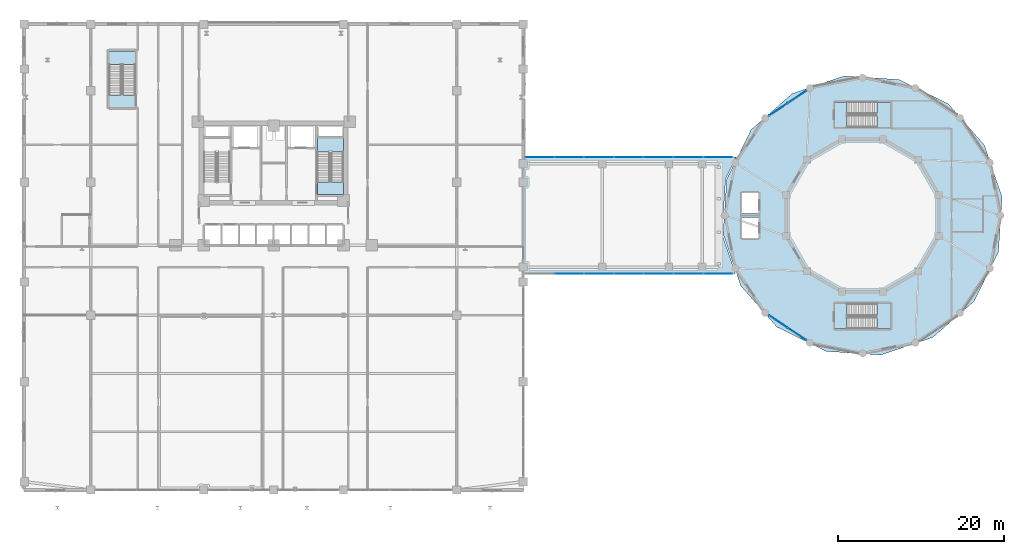
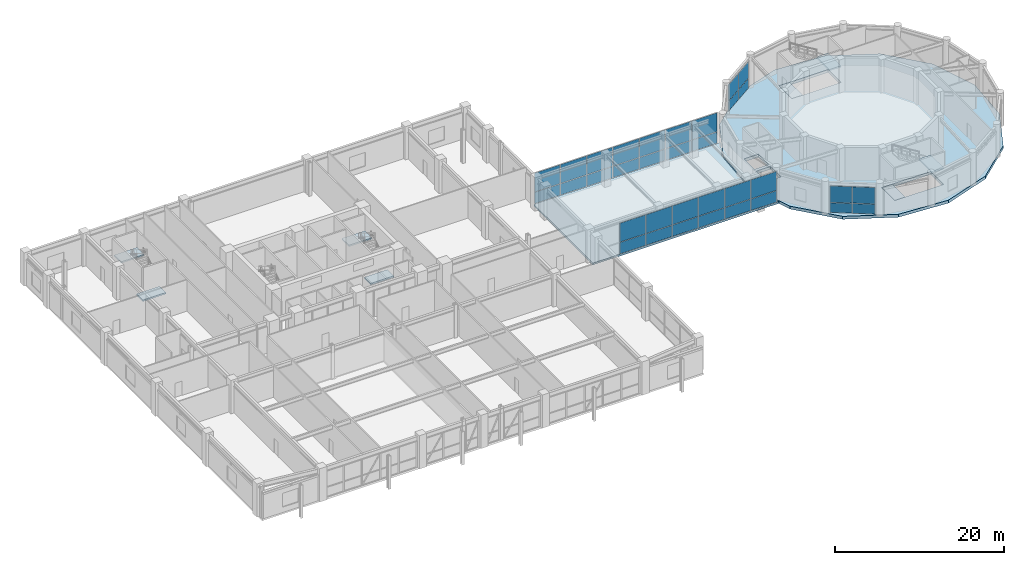
# One storey, part 31 of 48: 34 plates, 10 slabs, 8 elements without a shape of their own.
"""IFC4 building model written with IfcOpenShell, lengths in metres."""

from ifc_helpers import new_model, si_unit, derived_unit, direction, frame, origin, origin_2d, place, context, subcontext, project, spatial, polyline, rectangle, outline, extrude, source, transform, mapped, material, layer, layer_set, type_object, element, aggregate, save


model = new_model("IFC4")

# Units and contexts
model_context = context("Model", 3, precision=1e-05, world=origin(), true_north=direction((0.0, 1.0)))
body_context = subcontext(model_context, "Body", "Model", "MODEL_VIEW")
ifc_project = project(units=[si_unit("LENGTHUNIT", "METRE"), si_unit("AREAUNIT", "SQUARE_METRE"), si_unit("VOLUMEUNIT", "CUBIC_METRE"), si_unit("PLANEANGLEUNIT", "RADIAN"), si_unit("MASSUNIT", "GRAM", prefix="KILO"), derived_unit("THERMALTRANSMITTANCEUNIT", [(si_unit("POWERUNIT", "WATT"), 1), (si_unit("LENGTHUNIT", "METRE"), -2), (si_unit("THERMODYNAMICTEMPERATUREUNIT", "KELVIN"), -1)])], contexts=[model_context])

# Site, building, storey
site_placement = place(None, origin())
site = spatial("IfcSite", under=ifc_project, at=site_placement, CompositionType="ELEMENT")
building_placement = place(site_placement, origin())
building = spatial("IfcBuilding", under=site, at=building_placement, Name="Korsvarv Bourse and Concert Hall", CompositionType="ELEMENT")
storey_placement = place(building_placement, frame((0.0, 0.0, 4.800048828125)))
storey = spatial("IfcBuildingStorey", under=building, at=storey_placement, Name="L01", CompositionType="ELEMENT", Elevation=4.800048828125)

# Slabs
ifc_material_1 = material(Name="Concrete C50/60", Category="concrete")
ifc_layer_1 = layer(ifc_material_1, 0.419921875)
ifc_layer_set_1 = layer_set([ifc_layer_1], Name="Concrete C50/60")
slab_type_1 = type_object("IfcSlabType", Name="SLB-CH1", PredefinedType="FLOOR", material=ifc_layer_set_1)
slab_1_placement = place(storey_placement, frame((0.0, 0.0, -0.420166015625)))
element("IfcSlab", 1, at=slab_1_placement, inside=storey, type_object=slab_type_1, Name="L01 Concert Hall floor slab", PredefinedType="FLOOR", context=body_context, shape_type="SweptSolid", body=[
    extrude(outline(polyline([(123.572509765625, 38.2080078125), (121.45068359375, 44.45849609375), (117.098388671875, 49.42138671875), (111.178466796875, 52.3408203125), (104.591796875, 52.7724609375), (98.34130859375, 50.650634765625), (93.378662109375, 46.298583984375), (90.459228515625, 40.37841796875), (90.027587890625, 33.7919921875), (92.1494140625, 27.54150390625), (96.50146484375, 22.57861328125), (102.42138671875, 19.6591796875), (109.008056640625, 19.2275390625), (115.258544921875, 21.349365234375), (120.22119140625, 25.701416015625), (123.140625, 31.62158203125), (123.572509765625, 38.2080078125)]), holes=[polyline([(103.449951171875, 46.60009765625), (110.14990234375, 46.60009765625), (110.14990234375, 49.659912109375), (103.449951171875, 49.659912109375), (103.449951171875, 46.60009765625)]), polyline([(103.449951171875, 22.340087890625), (110.14990234375, 22.340087890625), (110.14990234375, 25.39990234375), (103.449951171875, 25.39990234375), (103.449951171875, 22.340087890625)]), polyline([(92.320068359375, 36.219970703125), (94.280029296875, 36.219970703125), (94.280029296875, 38.679931640625), (92.320068359375, 38.679931640625), (92.320068359375, 36.219970703125)]), polyline([(92.320068359375, 33.320068359375), (94.280029296875, 33.320068359375), (94.280029296875, 35.780029296875), (92.320068359375, 35.780029296875), (92.320068359375, 33.320068359375)])]), origin(), (0.0, 0.0, 1.0), 0.420166015625),
])
ifc_material_2 = material(Name="Precast concrete C45/55", Category="concrete")
ifc_layer_2 = layer(ifc_material_2, 0.199951171875)
ifc_layer_set_2 = layer_set([ifc_layer_2], Name="Precast concrete C45/55")
slab_type_2 = type_object("IfcSlabType", Name="SLB-FLND-T", PredefinedType="LANDING", material=ifc_layer_set_2)
slab_2_placement = place(storey_placement, frame((0.0, 0.0, -0.199951171875)))
element("IfcSlab", 2, at=slab_2_placement, inside=storey, type_object=slab_type_2, Name="L01 Stair ST-T2 Floor Landing Slab", PredefinedType="LANDING", context=body_context, shape_type="SweptSolid", body=[
    extrude(outline(polyline([(44.39990234375, 38.5), (44.39990234375, 40.0), (41.239990234375, 40.0), (41.239990234375, 38.5), (44.39990234375, 38.5)])), origin(), (0.0, 0.0, 1.0), 0.199951171875),
])
slab_3_placement = place(storey_placement, frame((0.0, 0.0, -0.199951171875)))
element("IfcSlab", 3, at=slab_3_placement, inside=storey, type_object=slab_type_2, Name="L01 Stair ST-PD1 Floor Landing Slab", PredefinedType="LANDING", context=body_context, shape_type="SweptSolid", body=[
    extrude(outline(polyline([(19.360107421875, 49.0), (19.360107421875, 50.5), (16.199951171875, 50.5), (16.199951171875, 49.0), (19.360107421875, 49.0)])), origin(), (0.0, 0.0, 1.0), 0.199951171875),
])
slab_4_placement = place(storey_placement, frame((0.0, 0.0, -0.199951171875)))
element("IfcSlab", 4, at=slab_4_placement, inside=storey, type_object=slab_type_2, Name="L01 Stair ST-CH1 Floor Landing Slab", PredefinedType="LANDING", context=body_context, shape_type="SweptSolid", body=[
    extrude(outline(polyline([(103.449951171875, 46.60009765625), (104.89990234375, 46.60009765625), (104.89990234375, 49.659912109375), (103.449951171875, 49.659912109375), (103.449951171875, 46.60009765625)])), origin(), (0.0, 0.0, 1.0), 0.199951171875),
])
slab_5_placement = place(storey_placement, frame((0.0, 0.0, -0.199951171875)))
element("IfcSlab", 5, at=slab_5_placement, inside=storey, type_object=slab_type_2, Name="L01 Stair ST-CH2 Floor Landing Slab", PredefinedType="LANDING", context=body_context, shape_type="SweptSolid", body=[
    extrude(outline(polyline([(103.449951171875, 22.340087890625), (104.89990234375, 22.340087890625), (104.89990234375, 25.39990234375), (103.449951171875, 25.39990234375), (103.449951171875, 22.340087890625)])), origin(), (0.0, 0.0, 1.0), 0.199951171875),
])
ifc_material_3 = material(Name="Concrete C45/55", Category="concrete")
ifc_layer_3 = layer(ifc_material_3, 0.260009765625)
ifc_layer_set_3 = layer_set([ifc_layer_3], Name="Concrete C45/55")
slab_type_3 = type_object("IfcSlabType", Name="SLB-LNK", PredefinedType="FLOOR", material=ifc_layer_set_3)
slab_6_placement = place(storey_placement, frame((0.0, 0.0, -0.260009765625)))
element("IfcSlab", 6, at=slab_6_placement, inside=storey, type_object=slab_type_3, Name="L01 podium link gallery slab", PredefinedType="FLOOR", context=body_context, shape_type="SweptSolid", body=[
    extrude(outline(polyline([(66.110107421875, 29.0), (66.110107421875, 43.0), (91.618408203125, 43.0), (90.351806640625, 40.431640625), (90.346923828125, 40.4208984375), (90.343505859375, 40.40966796875), (90.3408203125, 40.39794921875), (90.339599609375, 40.38623046875), (89.907958984375, 33.7998046875), (89.90771484375, 33.7880859375), (89.90869140625, 33.776123046875), (89.91064453125, 33.7646484375), (89.9140625, 33.75341796875), (91.527587890625, 29.0), (66.110107421875, 29.0)])), origin(), (0.0, 0.0, 1.0), 0.260009765625),
])

# Stair, slab
stair_type_1 = type_object("IfcStairType", Name="STR-TYPE-02", PredefinedType="HALF_TURN_STAIR", material=ifc_material_2)
stair_1_placement = place(storey_placement, origin())
stair_1 = element("IfcStair", 7, at=stair_1_placement, inside=storey, type_object=stair_type_1, Name="L01 Tower East Exit Stair ST-T2", PredefinedType="HALF_TURN_STAIR")
ifc_layer_4 = layer(ifc_material_2, 0.199951171875)
ifc_layer_set_4 = layer_set([ifc_layer_4], Name="Precast concrete C45/55")
slab_type_4 = type_object("IfcSlabType", Name="SLB-ST-LND", PredefinedType="LANDING", material=ifc_layer_set_4)
slab_7_placement = place(storey_placement, frame((0.0, 0.0, 2.199951171875)))
slab_7 = element("IfcSlab", 8, at=slab_7_placement, type_object=slab_type_4, Name="ST-T2 landing 1", PredefinedType="LANDING", context=body_context, shape_type="SweptSolid", body=[
    extrude(outline(polyline([(44.39990234375, 43.639892578125), (44.39990234375, 45.300048828125), (41.239990234375, 45.300048828125), (41.239990234375, 43.639892578125), (44.39990234375, 43.639892578125)])), origin(), (0.0, 0.0, 1.0), 0.199951171875),
])
aggregate(stair_1, [slab_7])

stair_2_placement = place(storey_placement, origin())
stair_2 = element("IfcStair", 9, at=stair_2_placement, inside=storey, type_object=stair_type_1, Name="L01 Exchange Podium Grand Stair ST-PD1", PredefinedType="HALF_TURN_STAIR")
slab_8_placement = place(storey_placement, frame((0.0, 0.0, 2.199951171875)))
slab_8 = element("IfcSlab", 10, at=slab_8_placement, type_object=slab_type_4, Name="ST-PD1 landing 1", PredefinedType="LANDING", context=body_context, shape_type="SweptSolid", body=[
    extrude(outline(polyline([(19.360107421875, 54.139892578125), (19.360107421875, 55.800048828125), (16.199951171875, 55.800048828125), (16.199951171875, 54.139892578125), (19.360107421875, 54.139892578125)])), origin(), (0.0, 0.0, 1.0), 0.199951171875),
])
aggregate(stair_2, [slab_8])

stair_type_2 = type_object("IfcStairType", Name="STR-TYPE-07", PredefinedType="HALF_TURN_STAIR", material=ifc_material_2)
stair_3_placement = place(storey_placement, origin())
stair_3 = element("IfcStair", 11, at=stair_3_placement, inside=storey, type_object=stair_type_2, Name="L01 Concert Hall North Exit Stair ST-CH1", PredefinedType="HALF_TURN_STAIR")
slab_9_placement = place(storey_placement, frame((0.0, 0.0, 2.199951171875)))
slab_9 = element("IfcSlab", 12, at=slab_9_placement, type_object=slab_type_4, Name="ST-CH1 landing 1", PredefinedType="LANDING", context=body_context, shape_type="SweptSolid", body=[
    extrude(outline(polyline([(108.5400390625, 46.60009765625), (110.14990234375, 46.60009765625), (110.14990234375, 49.659912109375), (108.5400390625, 49.659912109375), (108.5400390625, 46.60009765625)])), origin(), (0.0, 0.0, 1.0), 0.199951171875),
])
aggregate(stair_3, [slab_9])

stair_4_placement = place(storey_placement, origin())
stair_4 = element("IfcStair", 13, at=stair_4_placement, inside=storey, type_object=stair_type_2, Name="L01 Concert Hall South Exit Stair ST-CH2", PredefinedType="HALF_TURN_STAIR")
slab_10_placement = place(storey_placement, frame((0.0, 0.0, 2.199951171875)))
slab_10 = element("IfcSlab", 14, at=slab_10_placement, type_object=slab_type_4, Name="ST-CH2 landing 1", PredefinedType="LANDING", context=body_context, shape_type="SweptSolid", body=[
    extrude(outline(polyline([(108.5400390625, 22.340087890625), (110.14990234375, 22.340087890625), (110.14990234375, 25.39990234375), (108.5400390625, 25.39990234375), (108.5400390625, 22.340087890625)])), origin(), (0.0, 0.0, 1.0), 0.199951171875),
])
aggregate(stair_4, [slab_10])

# Curtain wall, plate
ifc_material_4 = material(Name="Anodised aluminium and triple low-E glazing", Category="glass")
ifc_layer_5 = layer(ifc_material_4, 0.239990234375)
ifc_layer_set_5 = layer_set([ifc_layer_5], Name="Anodised aluminium and triple low-E glazing")
curtain_wall_type_1 = type_object("IfcCurtainWallType", Name="CW-SYS-5", PredefinedType="NOTDEFINED", material=ifc_layer_set_5)
curtain_wall_1_placement = place(storey_placement, origin())
curtain_wall_1 = element("IfcCurtainWall", 15, at=curtain_wall_1_placement, inside=storey, type_object=curtain_wall_type_1, Name="L01 CW5 curtain wall CW-L01-LKS", PredefinedType="NOTDEFINED")
ifc_material_5 = material(Name="Tempered triple insulated low-E architectural glass", Category="glass")
ifc_layer_6 = layer(ifc_material_5, 0.035888671875)
ifc_layer_set_6 = layer_set([ifc_layer_6], Name="Tempered triple insulated low-E architectural glass")
plate_type_1 = type_object("IfcPlateType", Name="CWP-VIS1", PredefinedType="CURTAIN_PANEL", material=ifc_layer_set_6)
shared_shape_1 = source(origin(), body_context, "Body", "SweptSolid", [
    extrude(rectangle(XDim=3.47509765625, YDim=0.035888671875, at=origin_2d()), origin(), (0.0, 0.0, 1.0), 1.627685546875),
])
plate_1_placement = place(storey_placement, frame((89.41259765625, 29.0, 0.06494140625), z_axis=(0.0, 0.0, 1.0), x_axis=(1.0, 0.0, 0.0)))
plate_1 = element("IfcPlate", 16, at=plate_1_placement, type_object=plate_type_1, Name="CW5 panel 7.1", PredefinedType="CURTAIN_PANEL", context=body_context, shape_type="MappedRepresentation", body=[
    mapped(shared_shape_1, transform((0.0, 0.0, 0.0), scale=1.0)),
])

# Curtain wall, plates
curtain_wall_2_placement = place(storey_placement, origin())
curtain_wall_2 = element("IfcCurtainWall", 17, at=curtain_wall_2_placement, inside=storey, type_object=curtain_wall_type_1, Name="L01 CW5 curtain wall CW-L01-LKN", PredefinedType="NOTDEFINED")
plate_2_placement = place(storey_placement, frame((67.967529296875, 43.0, 0.06494140625), z_axis=(0.0, 0.0, 1.0), x_axis=(1.0, 0.0, 0.0)))
plate_2 = element("IfcPlate", 18, at=plate_2_placement, type_object=plate_type_1, Name="CW5 panel 1.1", PredefinedType="CURTAIN_PANEL", context=body_context, shape_type="MappedRepresentation", body=[
    mapped(shared_shape_1, transform((0.0, 0.0, 0.0), scale=1.0)),
])
plate_3_placement = place(storey_placement, frame((89.41259765625, 43.0, 0.06494140625), z_axis=(0.0, 0.0, 1.0), x_axis=(1.0, 0.0, 0.0)))
plate_3 = element("IfcPlate", 19, at=plate_3_placement, type_object=plate_type_1, Name="CW5 panel 7.1", PredefinedType="CURTAIN_PANEL", context=body_context, shape_type="MappedRepresentation", body=[
    mapped(shared_shape_1, transform((0.0, 0.0, 0.0), scale=1.0)),
])

# Plate
shared_shape_2 = source(origin(), body_context, "Body", "SweptSolid", [
    extrude(rectangle(XDim=3.47509765625, YDim=0.035888671875, at=origin_2d()), origin(), (0.0, 0.0, 1.0), 2.71728515625),
])
plate_4_placement = place(storey_placement, frame((89.41259765625, 29.0, 1.757568359375), z_axis=(0.0, 0.0, 1.0), x_axis=(1.0, 0.0, 0.0)))
plate_4 = element("IfcPlate", 20, at=plate_4_placement, type_object=plate_type_1, Name="CW5 panel 7.2", PredefinedType="CURTAIN_PANEL", context=body_context, shape_type="MappedRepresentation", body=[
    mapped(shared_shape_2, transform((0.0, 0.0, 0.0), scale=1.0)),
])

plate_5_placement = place(storey_placement, frame((67.967529296875, 43.0, 1.757568359375), z_axis=(0.0, 0.0, 1.0), x_axis=(1.0, 0.0, 0.0)))
plate_5 = element("IfcPlate", 21, at=plate_5_placement, type_object=plate_type_1, Name="CW5 panel 1.2", PredefinedType="CURTAIN_PANEL", context=body_context, shape_type="MappedRepresentation", body=[
    mapped(shared_shape_2, transform((0.0, 0.0, 0.0), scale=1.0)),
])

plate_6_placement = place(storey_placement, frame((89.41259765625, 43.0, 1.757568359375), z_axis=(0.0, 0.0, 1.0), x_axis=(1.0, 0.0, 0.0)))
plate_6 = element("IfcPlate", 22, at=plate_6_placement, type_object=plate_type_1, Name="CW5 panel 7.2", PredefinedType="CURTAIN_PANEL", context=body_context, shape_type="MappedRepresentation", body=[
    mapped(shared_shape_2, transform((0.0, 0.0, 0.0), scale=1.0)),
])

shared_shape_3 = source(origin(), body_context, "Body", "SweptSolid", [
    extrude(rectangle(XDim=3.510009765625, YDim=0.035888671875, at=origin_2d()), origin(), (0.0, 0.0, 1.0), 1.627685546875),
])
plate_7_placement = place(storey_placement, frame((71.530029296875, 29.0, 0.06494140625), z_axis=(0.0, 0.0, 1.0), x_axis=(1.0, 0.0, 0.0)))
plate_7 = element("IfcPlate", 23, at=plate_7_placement, type_object=plate_type_1, Name="CW5 panel 2.1", PredefinedType="CURTAIN_PANEL", context=body_context, shape_type="MappedRepresentation", body=[
    mapped(shared_shape_3, transform((0.0, 0.0, 0.0), scale=1.0)),
])

plate_8_placement = place(storey_placement, frame((75.110107421875, 29.0, 0.06494140625), z_axis=(0.0, 0.0, 1.0), x_axis=(1.0, 0.0, 0.0)))
plate_8 = element("IfcPlate", 24, at=plate_8_placement, type_object=plate_type_1, Name="CW5 panel 3.1", PredefinedType="CURTAIN_PANEL", context=body_context, shape_type="MappedRepresentation", body=[
    mapped(shared_shape_3, transform((0.0, 0.0, 0.0), scale=1.0)),
])

plate_9_placement = place(storey_placement, frame((78.68994140625, 29.0, 0.06494140625), z_axis=(0.0, 0.0, 1.0), x_axis=(1.0, 0.0, 0.0)))
plate_9 = element("IfcPlate", 25, at=plate_9_placement, type_object=plate_type_1, Name="CW5 panel 4.1", PredefinedType="CURTAIN_PANEL", context=body_context, shape_type="MappedRepresentation", body=[
    mapped(shared_shape_3, transform((0.0, 0.0, 0.0), scale=1.0)),
])

plate_10_placement = place(storey_placement, frame((82.27001953125, 29.0, 0.06494140625), z_axis=(0.0, 0.0, 1.0), x_axis=(1.0, 0.0, 0.0)))
plate_10 = element("IfcPlate", 26, at=plate_10_placement, type_object=plate_type_1, Name="CW5 panel 5.1", PredefinedType="CURTAIN_PANEL", context=body_context, shape_type="MappedRepresentation", body=[
    mapped(shared_shape_3, transform((0.0, 0.0, 0.0), scale=1.0)),
])

plate_11_placement = place(storey_placement, frame((85.85009765625, 29.0, 0.06494140625), z_axis=(0.0, 0.0, 1.0), x_axis=(1.0, 0.0, 0.0)))
plate_11 = element("IfcPlate", 27, at=plate_11_placement, type_object=plate_type_1, Name="CW5 panel 6.1", PredefinedType="CURTAIN_PANEL", context=body_context, shape_type="MappedRepresentation", body=[
    mapped(shared_shape_3, transform((0.0, 0.0, 0.0), scale=1.0)),
])

plate_12_placement = place(storey_placement, frame((71.530029296875, 43.0, 0.06494140625), z_axis=(0.0, 0.0, 1.0), x_axis=(1.0, 0.0, 0.0)))
plate_12 = element("IfcPlate", 28, at=plate_12_placement, type_object=plate_type_1, Name="CW5 panel 2.1", PredefinedType="CURTAIN_PANEL", context=body_context, shape_type="MappedRepresentation", body=[
    mapped(shared_shape_3, transform((0.0, 0.0, 0.0), scale=1.0)),
])

plate_13_placement = place(storey_placement, frame((75.110107421875, 43.0, 0.06494140625), z_axis=(0.0, 0.0, 1.0), x_axis=(1.0, 0.0, 0.0)))
plate_13 = element("IfcPlate", 29, at=plate_13_placement, type_object=plate_type_1, Name="CW5 panel 3.1", PredefinedType="CURTAIN_PANEL", context=body_context, shape_type="MappedRepresentation", body=[
    mapped(shared_shape_3, transform((0.0, 0.0, 0.0), scale=1.0)),
])

plate_14_placement = place(storey_placement, frame((78.68994140625, 43.0, 0.06494140625), z_axis=(0.0, 0.0, 1.0), x_axis=(1.0, 0.0, 0.0)))
plate_14 = element("IfcPlate", 30, at=plate_14_placement, type_object=plate_type_1, Name="CW5 panel 4.1", PredefinedType="CURTAIN_PANEL", context=body_context, shape_type="MappedRepresentation", body=[
    mapped(shared_shape_3, transform((0.0, 0.0, 0.0), scale=1.0)),
])

plate_15_placement = place(storey_placement, frame((82.27001953125, 43.0, 0.06494140625), z_axis=(0.0, 0.0, 1.0), x_axis=(1.0, 0.0, 0.0)))
plate_15 = element("IfcPlate", 31, at=plate_15_placement, type_object=plate_type_1, Name="CW5 panel 5.1", PredefinedType="CURTAIN_PANEL", context=body_context, shape_type="MappedRepresentation", body=[
    mapped(shared_shape_3, transform((0.0, 0.0, 0.0), scale=1.0)),
])

plate_16_placement = place(storey_placement, frame((85.85009765625, 43.0, 0.06494140625), z_axis=(0.0, 0.0, 1.0), x_axis=(1.0, 0.0, 0.0)))
plate_16 = element("IfcPlate", 32, at=plate_16_placement, type_object=plate_type_1, Name="CW5 panel 6.1", PredefinedType="CURTAIN_PANEL", context=body_context, shape_type="MappedRepresentation", body=[
    mapped(shared_shape_3, transform((0.0, 0.0, 0.0), scale=1.0)),
])

shared_shape_4 = source(origin(), body_context, "Body", "SweptSolid", [
    extrude(rectangle(XDim=3.510009765625, YDim=0.035888671875, at=origin_2d()), origin(), (0.0, 0.0, 1.0), 2.71728515625),
])
plate_17_placement = place(storey_placement, frame((71.530029296875, 29.0, 1.757568359375), z_axis=(0.0, 0.0, 1.0), x_axis=(1.0, 0.0, 0.0)))
plate_17 = element("IfcPlate", 33, at=plate_17_placement, type_object=plate_type_1, Name="CW5 panel 2.2", PredefinedType="CURTAIN_PANEL", context=body_context, shape_type="MappedRepresentation", body=[
    mapped(shared_shape_4, transform((0.0, 0.0, 0.0), scale=1.0)),
])

plate_18_placement = place(storey_placement, frame((75.110107421875, 29.0, 1.757568359375), z_axis=(0.0, 0.0, 1.0), x_axis=(1.0, 0.0, 0.0)))
plate_18 = element("IfcPlate", 34, at=plate_18_placement, type_object=plate_type_1, Name="CW5 panel 3.2", PredefinedType="CURTAIN_PANEL", context=body_context, shape_type="MappedRepresentation", body=[
    mapped(shared_shape_4, transform((0.0, 0.0, 0.0), scale=1.0)),
])

plate_19_placement = place(storey_placement, frame((78.68994140625, 29.0, 1.757568359375), z_axis=(0.0, 0.0, 1.0), x_axis=(1.0, 0.0, 0.0)))
plate_19 = element("IfcPlate", 35, at=plate_19_placement, type_object=plate_type_1, Name="CW5 panel 4.2", PredefinedType="CURTAIN_PANEL", context=body_context, shape_type="MappedRepresentation", body=[
    mapped(shared_shape_4, transform((0.0, 0.0, 0.0), scale=1.0)),
])

plate_20_placement = place(storey_placement, frame((82.27001953125, 29.0, 1.757568359375), z_axis=(0.0, 0.0, 1.0), x_axis=(1.0, 0.0, 0.0)))
plate_20 = element("IfcPlate", 36, at=plate_20_placement, type_object=plate_type_1, Name="CW5 panel 5.2", PredefinedType="CURTAIN_PANEL", context=body_context, shape_type="MappedRepresentation", body=[
    mapped(shared_shape_4, transform((0.0, 0.0, 0.0), scale=1.0)),
])

plate_21_placement = place(storey_placement, frame((85.85009765625, 29.0, 1.757568359375), z_axis=(0.0, 0.0, 1.0), x_axis=(1.0, 0.0, 0.0)))
plate_21 = element("IfcPlate", 37, at=plate_21_placement, type_object=plate_type_1, Name="CW5 panel 6.2", PredefinedType="CURTAIN_PANEL", context=body_context, shape_type="MappedRepresentation", body=[
    mapped(shared_shape_4, transform((0.0, 0.0, 0.0), scale=1.0)),
])

aggregate(curtain_wall_1, [plate_7, plate_17, plate_8, plate_18, plate_9, plate_19, plate_10, plate_20, plate_11, plate_21, plate_1, plate_4])

plate_22_placement = place(storey_placement, frame((71.530029296875, 43.0, 1.757568359375), z_axis=(0.0, 0.0, 1.0), x_axis=(1.0, 0.0, 0.0)))
plate_22 = element("IfcPlate", 38, at=plate_22_placement, type_object=plate_type_1, Name="CW5 panel 2.2", PredefinedType="CURTAIN_PANEL", context=body_context, shape_type="MappedRepresentation", body=[
    mapped(shared_shape_4, transform((0.0, 0.0, 0.0), scale=1.0)),
])

plate_23_placement = place(storey_placement, frame((75.110107421875, 43.0, 1.757568359375), z_axis=(0.0, 0.0, 1.0), x_axis=(1.0, 0.0, 0.0)))
plate_23 = element("IfcPlate", 39, at=plate_23_placement, type_object=plate_type_1, Name="CW5 panel 3.2", PredefinedType="CURTAIN_PANEL", context=body_context, shape_type="MappedRepresentation", body=[
    mapped(shared_shape_4, transform((0.0, 0.0, 0.0), scale=1.0)),
])

plate_24_placement = place(storey_placement, frame((78.68994140625, 43.0, 1.757568359375), z_axis=(0.0, 0.0, 1.0), x_axis=(1.0, 0.0, 0.0)))
plate_24 = element("IfcPlate", 40, at=plate_24_placement, type_object=plate_type_1, Name="CW5 panel 4.2", PredefinedType="CURTAIN_PANEL", context=body_context, shape_type="MappedRepresentation", body=[
    mapped(shared_shape_4, transform((0.0, 0.0, 0.0), scale=1.0)),
])

plate_25_placement = place(storey_placement, frame((82.27001953125, 43.0, 1.757568359375), z_axis=(0.0, 0.0, 1.0), x_axis=(1.0, 0.0, 0.0)))
plate_25 = element("IfcPlate", 41, at=plate_25_placement, type_object=plate_type_1, Name="CW5 panel 5.2", PredefinedType="CURTAIN_PANEL", context=body_context, shape_type="MappedRepresentation", body=[
    mapped(shared_shape_4, transform((0.0, 0.0, 0.0), scale=1.0)),
])

plate_26_placement = place(storey_placement, frame((85.85009765625, 43.0, 1.757568359375), z_axis=(0.0, 0.0, 1.0), x_axis=(1.0, 0.0, 0.0)))
plate_26 = element("IfcPlate", 42, at=plate_26_placement, type_object=plate_type_1, Name="CW5 panel 6.2", PredefinedType="CURTAIN_PANEL", context=body_context, shape_type="MappedRepresentation", body=[
    mapped(shared_shape_4, transform((0.0, 0.0, 0.0), scale=1.0)),
])

aggregate(curtain_wall_2, [plate_2, plate_5, plate_12, plate_22, plate_13, plate_23, plate_14, plate_24, plate_15, plate_25, plate_16, plate_26, plate_3, plate_6])

# Curtain wall, plates
ifc_layer_7 = layer(ifc_material_4, 0.22998046875)
ifc_layer_set_7 = layer_set([ifc_layer_7], Name="Anodised aluminium and triple low-E glazing")
curtain_wall_type_2 = type_object("IfcCurtainWallType", Name="CW-SYS-6", PredefinedType="NOTDEFINED", material=ifc_layer_set_7)
curtain_wall_3_placement = place(storey_placement, origin())
curtain_wall_3 = element("IfcCurtainWall", 43, at=curtain_wall_3_placement, inside=storey, type_object=curtain_wall_type_2, Name="L01 CW6 curtain wall CW-L01-CH06", PredefinedType="NOTDEFINED")
ifc_layer_8 = layer(ifc_material_5, 0.0380859375)
ifc_layer_set_8 = layer_set([ifc_layer_8], Name="Tempered triple insulated low-E architectural glass")
plate_type_2 = type_object("IfcPlateType", Name="CWP-VIS2", PredefinedType="CURTAIN_PANEL", material=ifc_layer_set_8)
shared_shape_5 = source(origin(), body_context, "Body", "SweptSolid", [
    extrude(rectangle(XDim=2.62353515625, YDim=0.0380859375, at=origin_2d()), origin(), (0.0, 0.0, 1.0), 1.403564453125),
])
plate_27_placement = place(storey_placement, frame((98.90185546875, 50.24462890625, 0.06494140625), z_axis=(0.0, 0.0, 1.0), x_axis=(-0.831469083386, -0.555571024599, 0.0)))
plate_27 = element("IfcPlate", 44, at=plate_27_placement, type_object=plate_type_2, Name="CW6 panel 1.1", PredefinedType="CURTAIN_PANEL", context=body_context, shape_type="MappedRepresentation", body=[
    mapped(shared_shape_5, transform((0.0, 0.0, 0.0), scale=1.0)),
])
plate_28_placement = place(storey_placement, frame((96.662109375, 48.748291015625, 0.06494140625), z_axis=(0.0, 0.0, 1.0), x_axis=(-0.831469083386, -0.555571024599, 0.0)))
plate_28 = element("IfcPlate", 45, at=plate_28_placement, type_object=plate_type_2, Name="CW6 panel 2.1", PredefinedType="CURTAIN_PANEL", context=body_context, shape_type="MappedRepresentation", body=[
    mapped(shared_shape_5, transform((0.0, 0.0, 0.0), scale=1.0)),
])

curtain_wall_4_placement = place(storey_placement, origin())
curtain_wall_4 = element("IfcCurtainWall", 46, at=curtain_wall_4_placement, inside=storey, type_object=curtain_wall_type_2, Name="L01 CW6 curtain wall CW-L01-CH11", PredefinedType="NOTDEFINED")
plate_29_placement = place(storey_placement, frame((96.662109375, 23.251708984375, 0.06494140625), z_axis=(0.0, 0.0, 1.0), x_axis=(0.831469083386, -0.555571024599, 0.0)))
plate_29 = element("IfcPlate", 47, at=plate_29_placement, type_object=plate_type_2, Name="CW6 panel 1.1", PredefinedType="CURTAIN_PANEL", context=body_context, shape_type="MappedRepresentation", body=[
    mapped(shared_shape_5, transform((0.0, 0.0, 0.0), scale=1.0)),
])
plate_30_placement = place(storey_placement, frame((98.90185546875, 21.75537109375, 0.06494140625), z_axis=(0.0, 0.0, 1.0), x_axis=(0.831469083386, -0.555571024599, 0.0)))
plate_30 = element("IfcPlate", 48, at=plate_30_placement, type_object=plate_type_2, Name="CW6 panel 2.1", PredefinedType="CURTAIN_PANEL", context=body_context, shape_type="MappedRepresentation", body=[
    mapped(shared_shape_5, transform((0.0, 0.0, 0.0), scale=1.0)),
])

# Plate
shared_shape_6 = source(origin(), body_context, "Body", "SweptSolid", [
    extrude(rectangle(XDim=2.62353515625, YDim=0.0380859375, at=origin_2d()), origin(), (0.0, 0.0, 1.0), 2.3515625),
])
plate_31_placement = place(storey_placement, frame((98.90185546875, 50.24462890625, 1.533447265625), z_axis=(0.0, 0.0, 1.0), x_axis=(-0.831469083386, -0.555571024599, 0.0)))
plate_31 = element("IfcPlate", 49, at=plate_31_placement, type_object=plate_type_2, Name="CW6 panel 1.2", PredefinedType="CURTAIN_PANEL", context=body_context, shape_type="MappedRepresentation", body=[
    mapped(shared_shape_6, transform((0.0, 0.0, 0.0), scale=1.0)),
])

plate_32_placement = place(storey_placement, frame((96.662109375, 48.748291015625, 1.533447265625), z_axis=(0.0, 0.0, 1.0), x_axis=(-0.831469083386, -0.555571024599, 0.0)))
plate_32 = element("IfcPlate", 50, at=plate_32_placement, type_object=plate_type_2, Name="CW6 panel 2.2", PredefinedType="CURTAIN_PANEL", context=body_context, shape_type="MappedRepresentation", body=[
    mapped(shared_shape_6, transform((0.0, 0.0, 0.0), scale=1.0)),
])

aggregate(curtain_wall_3, [plate_27, plate_31, plate_28, plate_32])

plate_33_placement = place(storey_placement, frame((96.662109375, 23.251708984375, 1.533447265625), z_axis=(0.0, 0.0, 1.0), x_axis=(0.831469083386, -0.555571024599, 0.0)))
plate_33 = element("IfcPlate", 51, at=plate_33_placement, type_object=plate_type_2, Name="CW6 panel 1.2", PredefinedType="CURTAIN_PANEL", context=body_context, shape_type="MappedRepresentation", body=[
    mapped(shared_shape_6, transform((0.0, 0.0, 0.0), scale=1.0)),
])

plate_34_placement = place(storey_placement, frame((98.90185546875, 21.75537109375, 1.533447265625), z_axis=(0.0, 0.0, 1.0), x_axis=(0.831469083386, -0.555571024599, 0.0)))
plate_34 = element("IfcPlate", 52, at=plate_34_placement, type_object=plate_type_2, Name="CW6 panel 2.2", PredefinedType="CURTAIN_PANEL", context=body_context, shape_type="MappedRepresentation", body=[
    mapped(shared_shape_6, transform((0.0, 0.0, 0.0), scale=1.0)),
])

aggregate(curtain_wall_4, [plate_29, plate_33, plate_30, plate_34])

save(model, "model.ifc")
